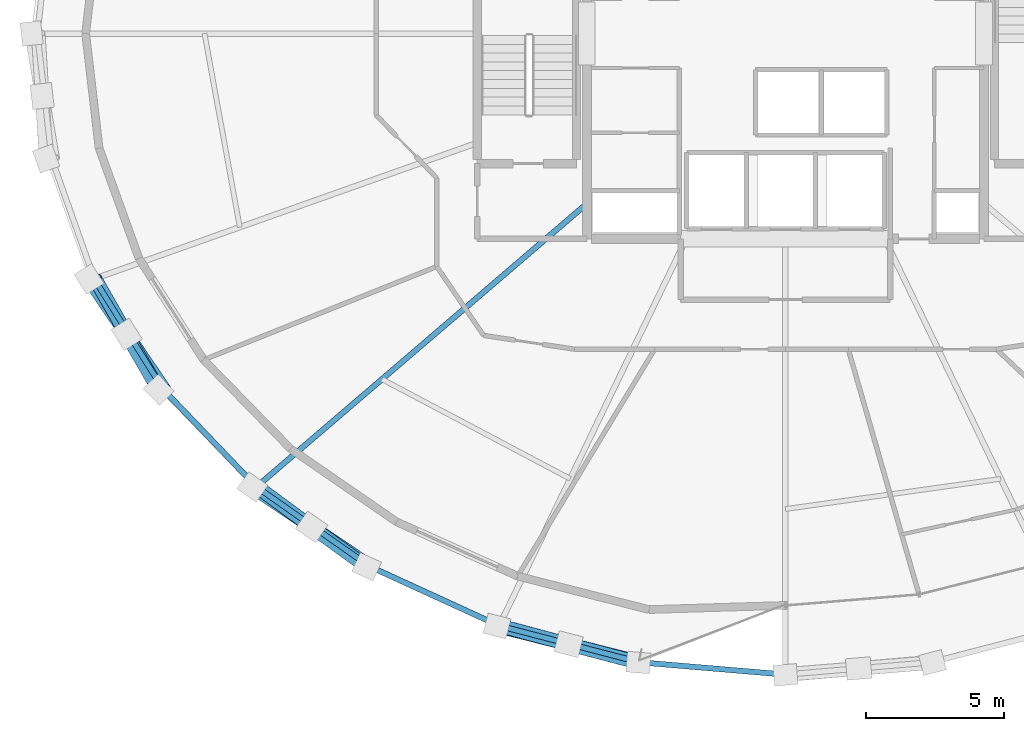
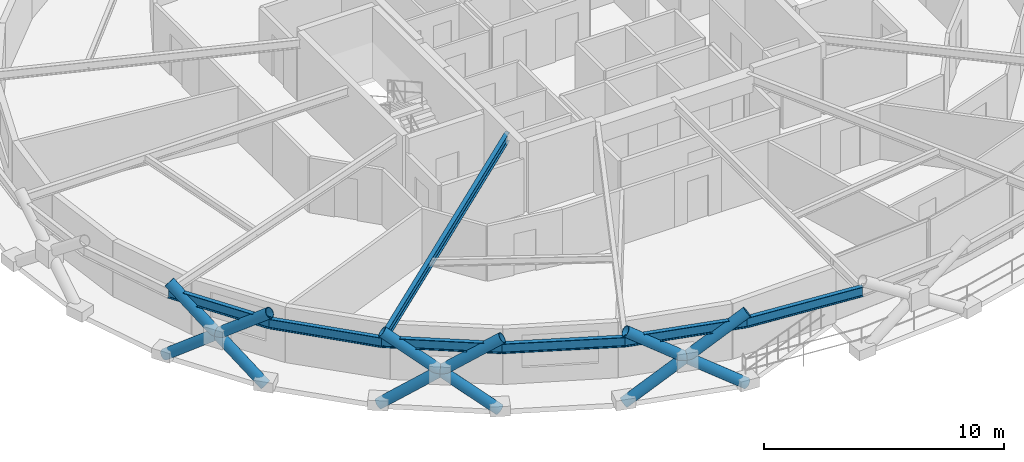
# One storey, part 1 of 16: 9 members, 7 beams.
"""IFC4 building model written with IfcOpenShell, lengths in metres."""

from ifc_helpers import new_model, si_unit, direction, frame, origin, origin_2d, place, context, subcontext, project, spatial, hollow_circle, i_section, extrude, material, material_profile, profile_set, type_object, element, save


model = new_model("IFC4")

# Units and contexts
model_context = context("Model", 3, precision=1e-05, world=origin(), true_north=direction((0.0, 1.0)))
body_context = subcontext(model_context, "Body", "Model", "MODEL_VIEW")
ifc_project = project(units=[si_unit("LENGTHUNIT", "METRE"), si_unit("AREAUNIT", "SQUARE_METRE"), si_unit("VOLUMEUNIT", "CUBIC_METRE"), si_unit("PLANEANGLEUNIT", "RADIAN"), si_unit("MASSUNIT", "GRAM", prefix="KILO")], contexts=[model_context])

# Site, building, storey
site_placement = place(None, origin())
site = spatial("IfcSite", under=ifc_project, at=site_placement, CompositionType="ELEMENT")
building_placement = place(site_placement, origin())
building = spatial("IfcBuilding", under=site, at=building_placement, Name="Veldorina Hangang Commons", CompositionType="ELEMENT")
storey_placement = place(building_placement, frame((0.0, 0.0, 185.60009765625)))
storey = spatial("IfcBuildingStorey", under=building, at=storey_placement, Name="L48", CompositionType="ELEMENT", Elevation=185.60009765625)

# Beams
ifc_material_1 = material(Name="Steel SM355-TMC", Category="steel")
ifc_material_profile_1 = material_profile(ifc_material_1, i_section(OverallWidth=0.199951171875, OverallDepth=0.449951171875, WebThickness=0.009033203125, FlangeThickness=0.013916015625, FilletRadius=0.01611328125, at=origin_2d()), Name="H-450x200x9x14")
ifc_profile_set_1 = profile_set([ifc_material_profile_1], Name="Steel SM355-TMC")
beam_type_1 = type_object("IfcBeamType", Name="BM-FG450", PredefinedType="BEAM", material=ifc_profile_set_1)
beam_1_placement = place(storey_placement, frame((24.800048828125, 17.83056640625, 3.125), z_axis=(-0.759361379825, -0.650669113167, 0.0), x_axis=(0.650669113167, -0.759361379825, 0.0)))
element("IfcBeam", 1, at=beam_1_placement, inside=storey, type_object=beam_type_1, Name="L48 radial floor girder 11", PredefinedType="BEAM", context=body_context, shape_type="SweptSolid", body=[
    extrude(i_section(OverallWidth=0.199951171875, OverallDepth=0.449951171875, WebThickness=0.009033203125, FlangeThickness=0.013916015625, FilletRadius=0.01611328125, at=origin_2d()), origin(), (0.0, 0.0, 1.0), 15.788330078125),
])
ifc_material_2 = material(Name="Steel SM420-TMC", Category="steel")
ifc_material_profile_2 = material_profile(ifc_material_2, i_section(OverallWidth=0.199951171875, OverallDepth=0.5, WebThickness=0.010009765625, FlangeThickness=0.01611328125, FilletRadius=0.01611328125, at=origin_2d()), Name="H-500x200x10x16")
ifc_profile_set_2 = profile_set([ifc_material_profile_2], Name="Steel SM420-TMC")
beam_type_2 = type_object("IfcBeamType", Name="BM-RB500", PredefinedType="BEAM", material=ifc_profile_set_2)
beam_2_placement = place(storey_placement, frame((6.928466796875, 15.101318359375, 3.099853515625), z_axis=(0.529285479706, -0.848443799537, 0.0), x_axis=(0.848443799537, 0.529285479706, 0.0)))
element("IfcBeam", 2, at=beam_2_placement, inside=storey, type_object=beam_type_2, Name="L48 perimeter hoop ring beam 18", PredefinedType="BEAM", context=body_context, shape_type="SweptSolid", body=[
    extrude(i_section(OverallWidth=0.199951171875, OverallDepth=0.5, WebThickness=0.010009765625, FlangeThickness=0.01611328125, FilletRadius=0.01611328125, at=origin_2d()), origin(), (0.0, 0.0, 1.0), 4.738037109375),
])
beam_3_placement = place(storey_placement, frame((9.436279296875, 11.081298828125, 3.099853515625), z_axis=(0.691680360766, -0.722203765242, 0.0), x_axis=(0.722203765242, 0.691680360766, 0.0)))
element("IfcBeam", 3, at=beam_3_placement, inside=storey, type_object=beam_type_2, Name="L48 perimeter hoop ring beam 19", PredefinedType="BEAM", context=body_context, shape_type="SweptSolid", body=[
    extrude(i_section(OverallWidth=0.199951171875, OverallDepth=0.5, WebThickness=0.010009765625, FlangeThickness=0.01611328125, FilletRadius=0.01611328125, at=origin_2d()), origin(), (0.0, 0.0, 1.0), 4.879150390625),
])
beam_4_placement = place(storey_placement, frame((12.81103515625, 7.5576171875, 3.099853515625), z_axis=(0.817993454631, -0.575227527315, 0.0), x_axis=(0.575227527315, 0.817993454631, 0.0)))
element("IfcBeam", 4, at=beam_4_placement, inside=storey, type_object=beam_type_2, Name="L48 perimeter hoop ring beam 20", PredefinedType="BEAM", context=body_context, shape_type="SweptSolid", body=[
    extrude(i_section(OverallWidth=0.199951171875, OverallDepth=0.5, WebThickness=0.010009765625, FlangeThickness=0.01611328125, FilletRadius=0.01611328125, at=origin_2d()), origin(), (0.0, 0.0, 1.0), 5.02734375),
])
beam_5_placement = place(storey_placement, frame((16.92333984375, 4.665771484375, 3.099853515625), z_axis=(0.90916857944, -0.416428258117, 0.0), x_axis=(0.416428258117, 0.90916857944, 0.0)))
element("IfcBeam", 5, at=beam_5_placement, inside=storey, type_object=beam_type_2, Name="L48 perimeter hoop ring beam 21", PredefinedType="BEAM", context=body_context, shape_type="SweptSolid", body=[
    extrude(i_section(OverallWidth=0.199951171875, OverallDepth=0.5, WebThickness=0.010009765625, FlangeThickness=0.01611328125, FilletRadius=0.01611328125, at=origin_2d()), origin(), (0.0, 0.0, 1.0), 5.160400390625),
])
beam_6_placement = place(storey_placement, frame((21.614990234375, 2.516845703125, 3.099853515625), z_axis=(0.967839686151, -0.251567768029, 0.0), x_axis=(0.251567768029, 0.967839686151, 0.0)))
element("IfcBeam", 6, at=beam_6_placement, inside=storey, type_object=beam_type_2, Name="L48 perimeter hoop ring beam 22", PredefinedType="BEAM", context=body_context, shape_type="SweptSolid", body=[
    extrude(i_section(OverallWidth=0.199951171875, OverallDepth=0.5, WebThickness=0.010009765625, FlangeThickness=0.01611328125, FilletRadius=0.01611328125, at=origin_2d()), origin(), (0.0, 0.0, 1.0), 5.260009765625),
])
beam_7_placement = place(storey_placement, frame((26.705810546875, 1.193603515625, 3.099853515625), z_axis=(0.996458060131, -0.084091226656, 0.0), x_axis=(0.084091226656, 0.996458060131, 0.0)))
element("IfcBeam", 7, at=beam_7_placement, inside=storey, type_object=beam_type_2, Name="L48 perimeter hoop ring beam 23", PredefinedType="BEAM", context=body_context, shape_type="SweptSolid", body=[
    extrude(i_section(OverallWidth=0.199951171875, OverallDepth=0.5, WebThickness=0.010009765625, FlangeThickness=0.01611328125, FilletRadius=0.01611328125, at=origin_2d()), origin(), (0.0, 0.0, 1.0), 5.31298828125),
])

# Members
ifc_material_profile_3 = material_profile(ifc_material_2, hollow_circle(Radius=0.25, WallThickness=0.02490234375, at=origin_2d()), Name="CHS-500x25")
ifc_profile_set_3 = profile_set([ifc_material_profile_3], Name="Steel SM420-TMC")
member_type = type_object("IfcMemberType", Name="DG-CHS500", PredefinedType="BRACE", material=ifc_profile_set_3)
member_1_placement = place(storey_placement, frame((6.738037109375, 15.097412109375, 0.0), z_axis=(0.451118230375, -0.664495335132, 0.595766977777), x_axis=(0.827353875026, 0.561681017553, 0.0)))
element("IfcMember", 8, at=member_1_placement, inside=storey, type_object=member_type, Name="L48 continuous perimeter diagrid brace 18", PredefinedType="BRACE", context=body_context, shape_type="SweptSolid", body=[
    extrude(hollow_circle(Radius=0.25, WallThickness=0.02490234375, at=origin_2d()), origin(), (0.0, 0.0, 1.0), 6.04248046875),
])
member_2_placement = place(storey_placement, frame((9.264892578125, 11.075439453125, 0.0), z_axis=(-0.395231875787, 0.68409987912, 0.613024567004), x_axis=(-0.86587923604, -0.500253084543, 0.0)))
element("IfcMember", 9, at=member_2_placement, inside=storey, type_object=member_type, Name="L48 split perimeter diagrid lower brace 19", PredefinedType="BRACE", context=body_context, shape_type="SweptSolid", body=[
    extrude(hollow_circle(Radius=0.25, WallThickness=0.02490234375, at=origin_2d()), origin(), (0.0, 0.0, 1.0), 2.9404296875),
])
member_3_placement = place(storey_placement, frame((8.102783203125, 13.0869140625, 1.802490234375), z_axis=(-0.390041993243, 0.687173236335, 0.612911238902), x_axis=(-0.869672467936, -0.493629211568, 0.0)))
element("IfcMember", 10, at=member_3_placement, inside=storey, type_object=member_type, Name="L48 split perimeter diagrid upper brace 19", PredefinedType="BRACE", context=body_context, shape_type="SweptSolid", body=[
    extrude(hollow_circle(Radius=0.25, WallThickness=0.02490234375, at=origin_2d()), origin(), (0.0, 0.0, 1.0), 2.9326171875),
])
member_4_placement = place(storey_placement, frame((12.665283203125, 7.55029296875, 0.0), z_axis=(0.679926405463, -0.458407880831, 0.572330584493), x_axis=(0.559018328911, 0.829155297843, 0.0)))
element("IfcMember", 11, at=member_4_placement, inside=storey, type_object=member_type, Name="L48 continuous perimeter diagrid brace 20", PredefinedType="BRACE", context=body_context, shape_type="SweptSolid", body=[
    extrude(hollow_circle(Radius=0.25, WallThickness=0.02490234375, at=origin_2d()), origin(), (0.0, 0.0, 1.0), 6.289794921875),
])
member_5_placement = place(storey_placement, frame((16.808837890625, 4.656982421875, 0.0), z_axis=(-0.653697380734, 0.473325769267, 0.590459524921), x_axis=(-0.586476242257, -0.809966429717, 0.0)))
element("IfcMember", 12, at=member_5_placement, inside=storey, type_object=member_type, Name="L48 split perimeter diagrid lower brace 21", PredefinedType="BRACE", context=body_context, shape_type="SweptSolid", body=[
    extrude(hollow_circle(Radius=0.25, WallThickness=0.02490234375, at=origin_2d()), origin(), (0.0, 0.0, 1.0), 3.0576171875),
])
member_6_placement = place(storey_placement, frame((14.81005859375, 6.104248046875, 1.805419921875), z_axis=(-0.64998853757, 0.478495022035, 0.590387512499), x_axis=(-0.592842529217, -0.805318406316, 0.0)))
element("IfcMember", 13, at=member_6_placement, inside=storey, type_object=member_type, Name="L48 split perimeter diagrid upper brace 21", PredefinedType="BRACE", context=body_context, shape_type="SweptSolid", body=[
    extrude(hollow_circle(Radius=0.25, WallThickness=0.02490234375, at=origin_2d()), origin(), (0.0, 0.0, 1.0), 3.039306640625),
])
member_7_placement = place(storey_placement, frame((21.5361328125, 2.507080078125, 0.0), z_axis=(0.803770055235, -0.203690996452, 0.558984504501), x_axis=(0.245654095453, 0.969357552912, 0.0)))
element("IfcMember", 14, at=member_7_placement, inside=storey, type_object=member_type, Name="L48 continuous perimeter diagrid brace 22", PredefinedType="BRACE", context=body_context, shape_type="SweptSolid", body=[
    extrude(hollow_circle(Radius=0.25, WallThickness=0.02490234375, at=origin_2d()), origin(), (0.0, 0.0, 1.0), 6.43994140625),
])
member_8_placement = place(storey_placement, frame((26.66552734375, 1.183349609375, 0.0), z_axis=(-0.795760500503, 0.209131847889, 0.568356486756), x_axis=(-0.254176370132, -0.967157884146, 0.0)))
element("IfcMember", 15, at=member_8_placement, inside=storey, type_object=member_type, Name="L48 split perimeter diagrid lower brace 23", PredefinedType="BRACE", context=body_context, shape_type="SweptSolid", body=[
    extrude(hollow_circle(Radius=0.25, WallThickness=0.02490234375, at=origin_2d()), origin(), (0.0, 0.0, 1.0), 3.179931640625),
])
member_9_placement = place(storey_placement, frame((24.135009765625, 1.848388671875, 1.807373046875), z_axis=(-0.794936883053, 0.212395989007, 0.568298597408), x_axis=(-0.258131023967, -0.966109918418, 0.0)))
element("IfcMember", 16, at=member_9_placement, inside=storey, type_object=member_type, Name="L48 split perimeter diagrid upper brace 23", PredefinedType="BRACE", context=body_context, shape_type="SweptSolid", body=[
    extrude(hollow_circle(Radius=0.25, WallThickness=0.02490234375, at=origin_2d()), origin(), (0.0, 0.0, 1.0), 3.154052734375),
])

save(model, "model.ifc")
